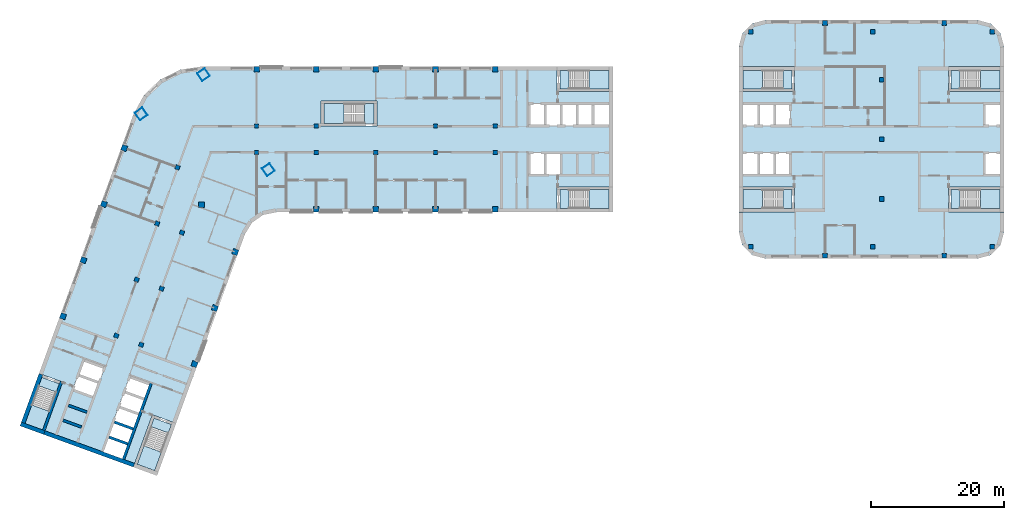
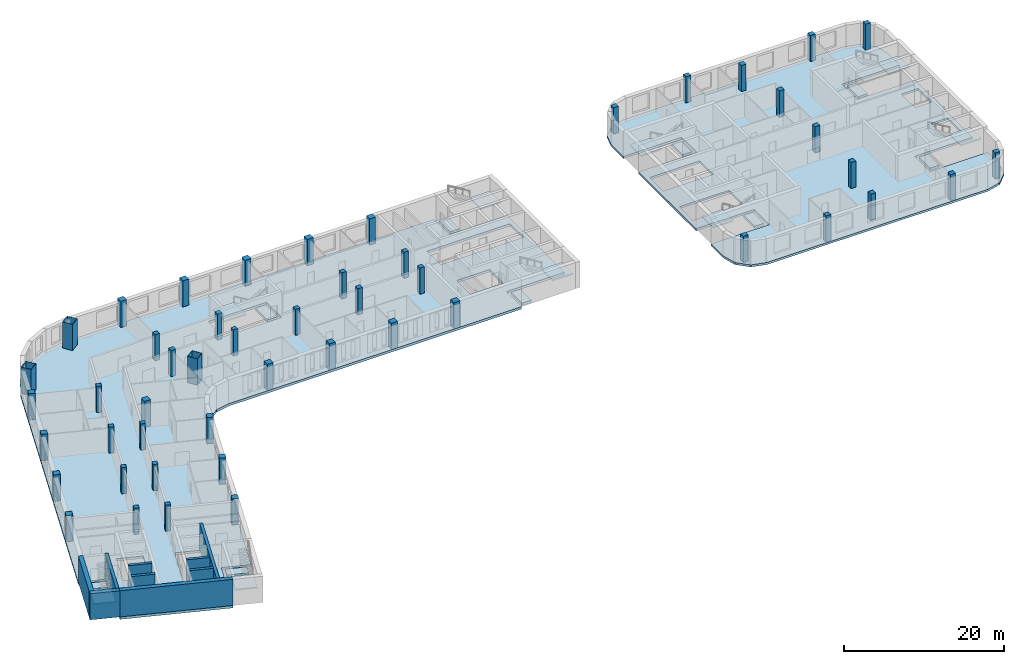
# One storey, part 1 of 12: 49 columns, 20 slabs, 9 walls, 9 elements without a shape of their own.
"""IFC4 building model written with IfcOpenShell, lengths in metres."""

import ifcopenshell
import ifcopenshell.guid

model = None  # the IFC model being written
_history = None  # IfcOwnerHistory: only IFC2X3 demands one
_inside = {}  # id of a spatial element -> (the spatial element, [elements in it])
_under = {}  # id of a project, library or spatial element -> (it, [spatial elements below it])
_declared = {}  # id of a project -> (the project, [libraries it declares])
_typed = {}  # id of a type object -> (the type object, [elements of that type])
_made_of = {}  # id of a material, layer set ... -> (it, [elements and type objects made of it])


def new_model(schema):
    """Start an empty IFC model of exactly this schema.

    Asked for "IFC4X3", IfcOpenShell would pick the latest addendum, in which some entities
    have other attributes; the version numbers below select the first issue.
    IFC2X3 requires an IfcOwnerHistory on every rooted entity: one is made here for all.
    """
    global model, _history
    if schema == "IFC4X3":
        model = ifcopenshell.file(schema_version=(4, 3, 0, 0))
    else:
        model = ifcopenshell.file(schema=schema)
    _inside.clear()
    _under.clear()
    _declared.clear()
    _typed.clear()
    _made_of.clear()
    _history = None
    if model.schema == "IFC2X3":
        org = make("IfcOrganization", Name="unknown")
        user = make(
            "IfcPersonAndOrganization",
            ThePerson=make("IfcPerson", FamilyName="unknown"),
            TheOrganization=org,
        )
        app = make(
            "IfcApplication",
            ApplicationDeveloper=org,
            Version="unknown",
            ApplicationFullName="unknown",
            ApplicationIdentifier="unknown",
        )
        _history = make(
            "IfcOwnerHistory",
            OwningUser=user,
            OwningApplication=app,
            ChangeAction="ADDED",
            CreationDate=0,
        )
    return model


def make(cls, **values):
    """One entity of the class cls with the attributes given. An attribute that is None is left unset."""
    return model.create_entity(
        cls, **{name: value for name, value in values.items() if value is not None}
    )


def rooted(cls, **values):
    """An entity with a GlobalId (a new one), such as an element, a storey or a relation."""
    return make(cls, GlobalId=ifcopenshell.guid.new(), OwnerHistory=_history, **values)


def si_unit(unit_type, name, prefix=None):
    """IfcSIUnit, for example si_unit("LENGTHUNIT", "METRE", prefix="MILLI")."""
    return make("IfcSIUnit", UnitType=unit_type, Prefix=prefix, Name=name)


def assignment(units):
    """IfcUnitAssignment: the units of a project."""
    return None if units is None else make("IfcUnitAssignment", Units=units)


def point(xyz):
    """IfcCartesianPoint."""
    return None if xyz is None else make("IfcCartesianPoint", Coordinates=xyz)


def direction(xyz):
    """IfcDirection."""
    return None if xyz is None else make("IfcDirection", DirectionRatios=xyz)


def frame(location, z_axis=None, x_axis=None):
    """IfcAxis2Placement3D, a coordinate frame: its origin and axes. An axis left out is left unset."""
    return make(
        "IfcAxis2Placement3D",
        Location=point(location),
        Axis=direction(z_axis),
        RefDirection=direction(x_axis),
    )


def frame_2d(location, x_axis=None):
    """IfcAxis2Placement2D, a coordinate frame in the plane: its origin and x axis."""
    return make(
        "IfcAxis2Placement2D", Location=point(location), RefDirection=direction(x_axis)
    )


def origin():
    """The frame at (0, 0, 0) with its axes left unset."""
    return frame((0.0, 0.0, 0.0))


def origin_2d():
    """The frame at (0, 0) in the plane with its x axis left unset."""
    return frame_2d((0.0, 0.0))


def place(relative_to, where):
    """IfcLocalPlacement: puts the frame where relative to a parent placement (None: the world)."""
    return make(
        "IfcLocalPlacement", PlacementRelTo=relative_to, RelativePlacement=where
    )


def context(
    kind, dimensions, precision=None, world=None, true_north=None, identifier=None
):
    """IfcGeometricRepresentationContext, for example the 3D "Model" context."""
    return make(
        "IfcGeometricRepresentationContext",
        ContextIdentifier=identifier,
        ContextType=kind,
        CoordinateSpaceDimension=dimensions,
        Precision=precision,
        WorldCoordinateSystem=world,
        TrueNorth=true_north,
    )


def subcontext(parent, identifier, kind, view, scale=None):
    """IfcGeometricRepresentationSubContext, for example "Body" below "Model"."""
    return make(
        "IfcGeometricRepresentationSubContext",
        ContextIdentifier=identifier,
        ContextType=kind,
        ParentContext=parent,
        TargetScale=scale,
        TargetView=view,
    )


def project(units=None, contexts=None):
    """IfcProject with its units and contexts."""
    return rooted(
        "IfcProject",
        Name="project",
        RepresentationContexts=contexts,
        UnitsInContext=assignment(units),
    )


def spatial(cls, under=None, at=None, **own):
    """A site, building, storey or space (cls), placed at a placement, below another one or the project."""
    s = rooted(cls, ObjectPlacement=at, **own)
    if under is not None:
        _under.setdefault(under.id(), (under, []))[1].append(s)
    return s


def polyline(points):
    """IfcPolyline through the points."""
    return make("IfcPolyline", Points=[point(p) for p in points])


def profile(cls, at=None, kind="AREA", **sizes):
    """A parametric profile (cls). Its sizes go by their IFC names, for example OverallWidth=200.0."""
    return make(cls, ProfileType=kind, Position=at, **sizes)


def rectangle(**sizes):
    """IfcRectangleProfileDef."""
    return profile("IfcRectangleProfileDef", **sizes)


def hollow_rectangle(**sizes):
    """IfcRectangleHollowProfileDef."""
    return profile("IfcRectangleHollowProfileDef", **sizes)


def outline(outer, holes=None, kind="AREA"):
    """IfcArbitraryClosedProfileDef: a profile drawn as a closed curve; with holes, ...WithVoids."""
    if holes is None:
        return make("IfcArbitraryClosedProfileDef", ProfileType=kind, OuterCurve=outer)
    return make(
        "IfcArbitraryProfileDefWithVoids",
        ProfileType=kind,
        OuterCurve=outer,
        InnerCurves=holes,
    )


def extrude(swept, where, along, depth):
    """IfcExtrudedAreaSolid: the profile swept, set in the frame where, extruded along a direction by depth."""
    return make(
        "IfcExtrudedAreaSolid",
        SweptArea=swept,
        Position=where,
        ExtrudedDirection=direction(along),
        Depth=depth,
    )


def shape(context_of_items, identifier, shape_type, items):
    """IfcShapeRepresentation: the items that make up one representation, for example the "Body"."""
    return make(
        "IfcShapeRepresentation",
        ContextOfItems=context_of_items,
        RepresentationIdentifier=identifier,
        RepresentationType=shape_type,
        Items=items,
    )


def material(Name=None, Category=None):
    """IfcMaterial."""
    return make("IfcMaterial", Name=Name, Category=Category)


def layer(
    of_material, thickness, ventilated=None, Name=None, Category=None, Priority=None
):
    """IfcMaterialLayer: one layer of a wall or slab, of a material (None: an air gap)."""
    return make(
        "IfcMaterialLayer",
        Material=of_material,
        LayerThickness=thickness,
        IsVentilated=ventilated,
        Name=Name,
        Category=Category,
        Priority=Priority,
    )


def layer_set(layers, Name=None):
    """IfcMaterialLayerSet."""
    return make("IfcMaterialLayerSet", MaterialLayers=layers, LayerSetName=Name)


def material_profile(
    of_material, cross_section, Name=None, Category=None, Priority=None
):
    """IfcMaterialProfile: a cross section and its material."""
    return make(
        "IfcMaterialProfile",
        Name=Name,
        Material=of_material,
        Profile=cross_section,
        Priority=Priority,
        Category=Category,
    )


def profile_set(profiles, Name=None, composite=None):
    """IfcMaterialProfileSet."""
    return make(
        "IfcMaterialProfileSet",
        Name=Name,
        MaterialProfiles=profiles,
        CompositeProfile=composite,
    )


def made_of(thing, what):
    """Note that an element or type object is made of a material, layer set ...; save() writes the relation."""
    if what is not None:
        _made_of.setdefault(what.id(), (what, []))[1].append(thing)
    return thing


def type_object(cls, material=None, **own):
    """A type object (cls), such as IfcWallType, which elements share."""
    return made_of(rooted(cls, **own), material)


def element(
    cls,
    number,
    at=None,
    inside=None,
    cuts=None,
    type_object=None,
    material=None,
    context=None,
    identifier="Body",
    shape_type=None,
    held_by="IfcProductDefinitionShape",
    body=None,
    shapes=None,
    **own,
):
    """One element of the class cls, such as IfcWall. Its Tag is "e" and its number.

    at: its placement. inside: the storey or other place that contains it. cuts: it is an
    opening in that element (IfcRelVoidsElement). A single representation is given by context,
    identifier, shape_type and body (its items); several are given by shapes. held_by: the class
    of the entity that holds the representations. save() writes the other relations.
    """
    e = rooted(cls, Tag="e%d" % number, ObjectPlacement=at, **own)
    if body is not None:
        shapes = [shape(context, identifier, shape_type, body)]
    if shapes is not None:
        e.Representation = make(held_by, Representations=shapes)
    if inside is not None:
        _inside.setdefault(inside.id(), (inside, []))[1].append(e)
    if cuts is not None:
        rooted(
            "IfcRelVoidsElement", RelatingBuildingElement=cuts, RelatedOpeningElement=e
        )
    if type_object is not None:
        _typed.setdefault(type_object.id(), (type_object, []))[1].append(e)
    return made_of(e, material)


def aggregate(whole, parts):
    """IfcRelAggregates: a whole, such as a stair, and the parts it consists of."""
    return rooted("IfcRelAggregates", RelatingObject=whole, RelatedObjects=parts)


def save(model, path):
    """Write the relations noted so far, then the file.

    IfcRelAggregates (storeys below a building ...), IfcRelContainedInSpatialStructure (elements
    in a storey), IfcRelDefinesByType, IfcRelAssociatesMaterial and IfcRelDeclares: one each for
    every whole, place, type object, material and project.
    """
    for whole, parts in _under.values():
        aggregate(whole, parts)
    for where, things in _inside.values():
        rooted(
            "IfcRelContainedInSpatialStructure",
            RelatedElements=things,
            RelatingStructure=where,
        )
    for kind, things in _typed.values():
        rooted("IfcRelDefinesByType", RelatedObjects=things, RelatingType=kind)
    for what, things in _made_of.values():
        rooted("IfcRelAssociatesMaterial", RelatedObjects=things, RelatingMaterial=what)
    for by, libraries in _declared.values():
        rooted("IfcRelDeclares", RelatingContext=by, RelatedDefinitions=libraries)
    model.write(path)


model = new_model("IFC4")

# Units and contexts
model_context = context("Model", 3, precision=1e-05, world=origin(), true_north=direction((0.0, 1.0)))
body_context = subcontext(model_context, "Body", "Model", "MODEL_VIEW")
ifc_project = project(units=[si_unit("LENGTHUNIT", "METRE"), si_unit("AREAUNIT", "SQUARE_METRE"), si_unit("VOLUMEUNIT", "CUBIC_METRE"), si_unit("PLANEANGLEUNIT", "RADIAN"), si_unit("MASSUNIT", "GRAM", prefix="KILO")], contexts=[model_context])

# Site, building, storey
site_placement = place(None, origin())
site = spatial("IfcSite", under=ifc_project, at=site_placement, CompositionType="ELEMENT")
building_placement = place(site_placement, origin())
building = spatial("IfcBuilding", under=site, at=building_placement, Name="Skarvind Civic Tower", CompositionType="ELEMENT")
storey_placement = place(building_placement, frame((0.0, 0.0, 85.0)))
storey = spatial("IfcBuildingStorey", under=building, at=storey_placement, Name="L19", CompositionType="ELEMENT", Elevation=85.0)

# Columns
ifc_material_1 = material(Name="Concrete C60", Category="concrete")
ifc_material_profile_1 = material_profile(ifc_material_1, rectangle(XDim=0.64990234375, YDim=0.64990234375, at=origin_2d()), Name="RC-650x650")
ifc_profile_set_1 = profile_set([ifc_material_profile_1], Name="Concrete C60")
column_type_1 = type_object("IfcColumnType", Name="Column RC-650x650 C60", PredefinedType="COLUMN", material=ifc_profile_set_1)
for number, where, z_axis, x_axis, name in (
    (1, (54.25, 130.0, 0.0), (0.0, 0.0, 1.0), (1.0, 0.0, 0.0), "Column wing 1 north inner 02 L19"),
    (2, (63.25, 130.0, 0.0), (0.0, 0.0, 1.0), (1.0, 0.0, 0.0), "Column wing 1 north inner 03 L19"),
    (3, (81.25, 130.0, 0.0), (0.0, 0.0, 1.0), (1.0, 0.0, 0.0), "Column wing 1 north inner 05 L19"),
    (4, (90.25, 130.0, 0.0), (0.0, 0.0, 1.0), (1.0, 0.0, 0.0), "Column wing 1 north inner 06 L19"),
    (5, (54.25, 126.0, 0.0), (0.0, 0.0, 1.0), (1.0, 0.0, 0.0), "Column wing 1 south inner 02 L19"),
    (6, (63.25, 126.0, 0.0), (0.0, 0.0, 1.0), (1.0, 0.0, 0.0), "Column wing 1 south inner 03 L19"),
    (7, (72.25, 126.0, 0.0), (0.0, 0.0, 1.0), (1.0, 0.0, 0.0), "Column wing 1 south inner 04 L19"),
    (8, (81.25, 126.0, 0.0), (0.0, 0.0, 1.0), (1.0, 0.0, 0.0), "Column wing 1 south inner 05 L19"),
    (9, (90.25, 126.0, 0.0), (0.0, 0.0, 1.0), (1.0, 0.0, 0.0), "Column wing 1 south inner 06 L19"),
    (10, (43.005615234375, 113.92529296875, 0.0), (0.0, 0.0, 1.0), (-0.342020143326, -0.939692620786, 0.0), "Column wing 2 left inner 02 L19"),
    (11, (39.927490234375, 105.468017578125, 0.0), (0.0, 0.0, 1.0), (-0.342020143326, -0.939692620786, 0.0), "Column wing 2 left inner 03 L19"),
    (12, (36.84912109375, 97.010986328125, 0.0), (0.0, 0.0, 1.0), (-0.342020143326, -0.939692620786, 0.0), "Column wing 2 left inner 04 L19"),
    (13, (42.324951171875, 123.750732421875, 0.0), (0.0, 0.0, 1.0), (-0.342020143326, -0.939692620786, 0.0), "Column wing 2 right inner 01 L19"),
    (14, (39.246826171875, 115.29345703125, 0.0), (0.0, 0.0, 1.0), (-0.342020143326, -0.939692620786, 0.0), "Column wing 2 right inner 02 L19"),
    (15, (36.168701171875, 106.836181640625, 0.0), (0.0, 0.0, 1.0), (-0.342020143326, -0.939692620786, 0.0), "Column wing 2 right inner 03 L19"),
    (16, (33.090576171875, 98.37890625, 0.0), (0.0, 0.0, 1.0), (-0.342020143326, -0.939692620786, 0.0), "Column wing 2 right inner 04 L19"),
):
    element("IfcColumn", number, at=place(storey_placement, frame(where, z_axis=z_axis, x_axis=x_axis)), inside=storey, type_object=column_type_1, Name=name, PredefinedType="COLUMN", context=body_context, shape_type="SweptSolid", body=[
        extrude(rectangle(XDim=0.64990234375, YDim=0.64990234375, at=origin_2d()), origin(), (0.0, 0.0, 1.0), 4.0),
    ])
ifc_material_profile_2 = material_profile(ifc_material_1, rectangle(XDim=0.699951171875, YDim=0.699951171875, at=origin_2d()), Name="RC-700x700")
ifc_profile_set_2 = profile_set([ifc_material_profile_2], Name="Concrete C60")
column_type_2 = type_object("IfcColumnType", Name="Column RC-700x700 C60", PredefinedType="COLUMN", material=ifc_profile_set_2)
for number, where, z_axis, x_axis, name in (
    (17, (128.777099609375, 144.222900390625, 0.0), (0.0, 0.0, 1.0), (1.0, 0.0, 0.0), "Column second tower north-west corner L19"),
    (18, (128.777099609375, 111.777099609375, 0.0), (0.0, 0.0, 1.0), (1.0, 0.0, 0.0), "Column second tower south-west corner L19"),
    (19, (148.550048828125, 119.0, 0.0), (0.0, 0.0, 1.0), (1.0, 0.0, 0.0), "Column second tower middle line 01 L19"),
    (20, (148.550048828125, 128.0, 0.0), (0.0, 0.0, 1.0), (1.0, 0.0, 0.0), "Column second tower middle line 02 L19"),
    (21, (148.550048828125, 137.0, 0.0), (0.0, 0.0, 1.0), (1.0, 0.0, 0.0), "Column second tower middle line 03 L19"),
    (22, (140.0, 145.550048828125, 0.0), (0.0, 0.0, 1.0), (1.0, 0.0, 0.0), "Column second tower north perimeter 02 L19"),
    (23, (147.222900390625, 144.222900390625, 0.0), (0.0, 0.0, 1.0), (1.0, 0.0, 0.0), "Column second tower north perimeter 03 L19"),
    (24, (140.0, 110.449951171875, 0.0), (0.0, 0.0, 1.0), (1.0, 0.0, 0.0), "Column second tower south perimeter 02 L19"),
    (25, (147.222900390625, 111.777099609375, 0.0), (0.0, 0.0, 1.0), (1.0, 0.0, 0.0), "Column second tower south perimeter 03 L19"),
    (26, (165.222900390625, 144.222900390625, 0.0), (0.0, 0.0, 1.0), (1.0, 0.0, 0.0), "Column second tower north-east corner L19"),
    (27, (165.222900390625, 111.777099609375, 0.0), (0.0, 0.0, 1.0), (1.0, 0.0, 0.0), "Column second tower south-east corner L19"),
    (28, (158.0, 145.550048828125, 0.0), (0.0, 0.0, 1.0), (1.0, 0.0, 0.0), "Column second tower north perimeter 04 L19"),
    (29, (158.0, 110.449951171875, 0.0), (0.0, 0.0, 1.0), (1.0, 0.0, 0.0), "Column second tower south perimeter 04 L19"),
):
    element("IfcColumn", number, at=place(storey_placement, frame(where, z_axis=z_axis, x_axis=x_axis)), inside=storey, type_object=column_type_2, Name=name, PredefinedType="COLUMN", context=body_context, shape_type="SweptSolid", body=[
        extrude(rectangle(XDim=0.699951171875, YDim=0.699951171875, at=origin_2d()), origin(), (0.0, 0.0, 1.0), 4.0),
    ])
ifc_material_2 = material(Name="Concrete C80", Category="concrete")
ifc_material_profile_3 = material_profile(ifc_material_2, rectangle(XDim=0.85009765625, YDim=0.85009765625, at=origin_2d()), Name="RC-850x850")
ifc_profile_set_3 = profile_set([ifc_material_profile_3], Name="Concrete C80")
column_type_3 = type_object("IfcColumnType", Name="Column RC-850x850 C80", PredefinedType="COLUMN", material=ifc_profile_set_3)
for number, where, z_axis, x_axis, name in (
    (30, (54.25, 138.550048828125, 0.0), (0.0, 0.0, 1.0), (1.0, 0.0, 0.0), "Column wing 1 north perimeter 02 L19"),
    (31, (63.25, 138.550048828125, 0.0), (0.0, 0.0, 1.0), (1.0, 0.0, 0.0), "Column wing 1 north perimeter 03 L19"),
    (32, (72.25, 138.550048828125, 0.0), (0.0, 0.0, 1.0), (1.0, 0.0, 0.0), "Column wing 1 north perimeter 04 L19"),
    (33, (81.25, 138.550048828125, 0.0), (0.0, 0.0, 1.0), (1.0, 0.0, 0.0), "Column wing 1 north perimeter 05 L19"),
    (34, (90.25, 138.550048828125, 0.0), (0.0, 0.0, 1.0), (1.0, 0.0, 0.0), "Column wing 1 north perimeter 06 L19"),
    (35, (45.95166015625, 118.151611328125, 0.0), (0.0, 0.0, 1.0), (1.0, 0.0, 0.0), "Column wing 1 south perimeter 01 L19"),
    (36, (63.25, 117.449951171875, 0.0), (0.0, 0.0, 1.0), (1.0, 0.0, 0.0), "Column wing 1 south perimeter 03 L19"),
    (37, (72.25, 117.449951171875, 0.0), (0.0, 0.0, 1.0), (1.0, 0.0, 0.0), "Column wing 1 south perimeter 04 L19"),
    (38, (81.25, 117.449951171875, 0.0), (0.0, 0.0, 1.0), (1.0, 0.0, 0.0), "Column wing 1 south perimeter 05 L19"),
    (39, (90.25, 117.449951171875, 0.0), (0.0, 0.0, 1.0), (1.0, 0.0, 0.0), "Column wing 1 south perimeter 06 L19"),
    (40, (51.0400390625, 111.0009765625, 0.0), (0.0, 0.0, 1.0), (-0.342020143326, -0.939692620786, 0.0), "Column wing 2 left perimeter 02 L19"),
    (41, (47.961669921875, 102.5439453125, 0.0), (0.0, 0.0, 1.0), (-0.342020143326, -0.939692620786, 0.0), "Column wing 2 left perimeter 03 L19"),
    (42, (44.883544921875, 94.086669921875, 0.0), (0.0, 0.0, 1.0), (-0.342020143326, -0.939692620786, 0.0), "Column wing 2 left perimeter 04 L19"),
    (43, (34.29052734375, 126.6748046875, 0.0), (0.0, 0.0, 1.0), (-0.342020143326, -0.939692620786, 0.0), "Column wing 2 right perimeter 01 L19"),
    (44, (31.21240234375, 118.2177734375, 0.0), (0.0, 0.0, 1.0), (-0.342020143326, -0.939692620786, 0.0), "Column wing 2 right perimeter 02 L19"),
    (45, (28.13427734375, 109.760498046875, 0.0), (0.0, 0.0, 1.0), (-0.342020143326, -0.939692620786, 0.0), "Column wing 2 right perimeter 03 L19"),
    (46, (25.05615234375, 101.30322265625, 0.0), (0.0, 0.0, 1.0), (-0.342020143326, -0.939692620786, 0.0), "Column wing 2 right perimeter 04 L19"),
):
    element("IfcColumn", number, at=place(storey_placement, frame(where, z_axis=z_axis, x_axis=x_axis)), inside=storey, type_object=column_type_3, Name=name, PredefinedType="COLUMN", context=body_context, shape_type="SweptSolid", body=[
        extrude(rectangle(XDim=0.85009765625, YDim=0.85009765625, at=origin_2d()), origin(), (0.0, 0.0, 1.0), 4.0),
    ])
ifc_material_3 = material(Name="Composite concrete-filled steel tube, Steel SM355 with Concrete C80", Category="concrete")
ifc_material_profile_4 = material_profile(ifc_material_3, hollow_rectangle(XDim=1.39990234375, YDim=1.39990234375, WallThickness=0.0400390625, at=origin_2d()), Name="BOX-1400x1400x40")
ifc_profile_set_4 = profile_set([ifc_material_profile_4], Name="Composite concrete-filled steel tube, Steel SM355 with Concrete C80")
column_type_4 = type_object("IfcColumnType", Name="Mega column BOX-1400x1400x40 filled C80", PredefinedType="COLUMN", material=ifc_profile_set_4)
for number, where, z_axis, x_axis, name in (
    (47, (36.845947265625, 131.837646484375, 0.0), (0.0, 0.0, 1.0), (0.573576436351, -0.819152044289, 0.0), "Mega column 1 L19"),
    (48, (46.2470703125, 137.762451171875, 0.0), (0.0, 0.0, 1.0), (0.573576436351, -0.819152044289, 0.0), "Mega column 2 L19"),
    (49, (56.0361328125, 123.43017578125, 0.0), (0.0, 0.0, 1.0), (0.573576436351, -0.819152044289, 0.0), "Mega column 4 L19"),
):
    element("IfcColumn", number, at=place(storey_placement, frame(where, z_axis=z_axis, x_axis=x_axis)), inside=storey, type_object=column_type_4, Name=name, PredefinedType="COLUMN", context=body_context, shape_type="SweptSolid", body=[
        extrude(hollow_rectangle(XDim=1.39990234375, YDim=1.39990234375, WallThickness=0.0400390625, at=origin_2d()), origin(), (0.0, 0.0, 1.0), 4.0),
    ])

# Slabs
ifc_material_4 = material(Name="Concrete C50", Category="concrete")
ifc_layer_1 = layer(ifc_material_4, 0.375)
ifc_layer_set_1 = layer_set([ifc_layer_1], Name="Floor slab 375 C50")
slab_type_1 = type_object("IfcSlabType", Name="Floor slab 375 C50", PredefinedType="FLOOR", material=ifc_layer_set_1)
slab_1_placement = place(storey_placement, frame((0.0, 0.0, -0.375)))
element("IfcSlab", 50, at=slab_1_placement, inside=storey, type_object=slab_type_1, Name="Floor slab L19 1", PredefinedType="FLOOR", context=body_context, shape_type="SweptSolid", body=[
    extrude(outline(polyline([(99.60009765625, 117.0), (99.60009765625, 120.800048828125), (108.0, 120.800048828125), (108.0, 135.199951171875), (99.60009765625, 135.199951171875), (99.60009765625, 139.0), (46.095458984375, 139.0), (42.739501953125, 138.5009765625), (39.6943359375, 137.005615234375), (37.24755859375, 134.6552734375), (35.630615234375, 131.672607421875), (19.41748046875, 87.126708984375), (21.435302734375, 92.6708984375), (25.006103515625, 91.371337890625), (22.13330078125, 83.477783203125), (36.886474609375, 78.108154296875), (35.664794921875, 78.552734375), (38.53759765625, 86.4462890625), (42.108642578125, 85.146484375), (40.0908203125, 79.602294921875), (40.0908203125, 79.602294921875), (52.493896484375, 113.68017578125), (53.560791015625, 115.421630859375), (55.23388671875, 116.593017578125), (57.235107421875, 117.0), (99.60009765625, 117.0)]), holes=[polyline([(32.625244140625, 85.40576171875), (33.446044921875, 87.660888671875), (34.26708984375, 89.916259765625), (35.087890625, 92.17138671875), (38.28271484375, 91.008544921875), (37.4619140625, 88.75341796875), (36.64111328125, 86.498046875), (35.8203125, 84.242919921875), (35.8203125, 84.242919921875), (34.99951171875, 81.987548828125), (34.178466796875, 79.732421875), (30.983642578125, 80.89501953125), (31.804443359375, 83.150390625), (32.625244140625, 85.40576171875), (32.625244140625, 85.40576171875)]), polyline([(31.3291015625, 93.53955078125), (30.50830078125, 91.2841796875), (29.6875, 89.029052734375), (26.492431640625, 90.19189453125), (27.313232421875, 92.447021484375), (28.134033203125, 94.702392578125), (31.3291015625, 93.53955078125)]), polyline([(64.0, 130.0), (64.0, 133.800048828125), (72.39990234375, 133.800048828125), (72.39990234375, 130.0), (64.0, 130.0)]), polyline([(100.199951171875, 126.0), (100.199951171875, 122.60009765625), (97.800048828125, 122.60009765625), (95.39990234375, 122.60009765625), (95.39990234375, 126.0), (97.800048828125, 126.0), (100.199951171875, 126.0)]), polyline([(100.199951171875, 133.39990234375), (102.60009765625, 133.39990234375), (105.0, 133.39990234375), (107.39990234375, 133.39990234375), (107.39990234375, 130.0), (105.0, 130.0), (102.60009765625, 130.0), (100.199951171875, 130.0), (97.800048828125, 130.0), (95.39990234375, 130.0), (95.39990234375, 133.39990234375), (97.800048828125, 133.39990234375), (100.199951171875, 133.39990234375)])]), origin(), (0.0, 0.0, 1.0), 0.375),
])
ifc_layer_2 = layer(ifc_material_4, 0.324951171875)
ifc_layer_set_2 = layer_set([ifc_layer_2], Name="Second tower floor slab 325 C50")
slab_type_2 = type_object("IfcSlabType", Name="Second tower floor slab 325 C50", PredefinedType="FLOOR", material=ifc_layer_set_2)
slab_2_placement = place(storey_placement, frame((0.0, 0.0, -0.324951171875)))
element("IfcSlab", 51, at=slab_2_placement, inside=storey, type_object=slab_type_2, Name="Floor slab L19 1", PredefinedType="FLOOR", context=body_context, shape_type="SweptSolid", body=[
    extrude(outline(polyline([(127.0, 139.0), (135.39990234375, 139.0), (135.39990234375, 135.199951171875), (127.0, 135.199951171875), (127.0, 120.800048828125), (135.39990234375, 120.800048828125), (135.39990234375, 117.0), (127.0, 117.0), (127.0, 114.0), (127.535888671875, 112.0), (129.0, 110.535888671875), (131.0, 110.0), (163.0, 110.0), (165.0, 110.535888671875), (166.464111328125, 112.0), (167.0, 114.0), (167.0, 117.0), (158.60009765625, 117.0), (158.60009765625, 120.800048828125), (167.0, 120.800048828125), (167.0, 135.199951171875), (158.60009765625, 135.199951171875), (158.60009765625, 139.0), (167.0, 139.0), (167.0, 142.0), (166.464111328125, 144.0), (165.0, 145.464111328125), (163.0, 146.0), (131.0, 146.0), (129.0, 145.464111328125), (127.535888671875, 144.0), (127.0, 142.0), (127.0, 139.0)]), holes=[polyline([(132.39990234375, 126.0), (134.800048828125, 126.0), (134.800048828125, 122.60009765625), (132.39990234375, 122.60009765625), (130.0, 122.60009765625), (127.60009765625, 122.60009765625), (127.60009765625, 126.0), (130.0, 126.0), (132.39990234375, 126.0)]), polyline([(130.0, 133.39990234375), (132.39990234375, 133.39990234375), (134.800048828125, 133.39990234375), (134.800048828125, 130.0), (132.39990234375, 130.0), (130.0, 130.0), (127.60009765625, 130.0), (127.60009765625, 133.39990234375), (130.0, 133.39990234375)]), polyline([(166.39990234375, 126.0), (166.39990234375, 122.60009765625), (164.0, 122.60009765625), (164.0, 126.0), (166.39990234375, 126.0)]), polyline([(166.39990234375, 133.39990234375), (166.39990234375, 130.0), (164.0, 130.0), (164.0, 133.39990234375), (166.39990234375, 133.39990234375)])]), origin(), (0.0, 0.0, 1.0), 0.324951171875),
])
ifc_material_5 = material(Name="Concrete C40/50", Category="concrete")
ifc_layer_3 = layer(ifc_material_5, 0.375)
ifc_layer_set_3 = layer_set([ifc_layer_3], Name="Stair floor landing slab 375")
slab_type_3 = type_object("IfcSlabType", Name="Stair floor landing slab 375", PredefinedType="LANDING", material=ifc_layer_set_3)
slab_3_placement = place(storey_placement, frame((0.0, 0.0, -0.375)))
element("IfcSlab", 52, at=slab_3_placement, inside=storey, type_object=slab_type_3, Name="Stair floor landing", PredefinedType="LANDING", context=body_context, shape_type="SweptSolid", body=[
    extrude(outline(polyline([(101.3505859375, 138.400634765625), (101.3505859375, 135.599365234375), (99.99951171875, 135.599365234375), (99.99951171875, 138.400634765625), (101.3505859375, 138.400634765625)])), origin(), (0.0, 0.0, 1.0), 0.375),
])
slab_4_placement = place(storey_placement, frame((0.0, 0.0, -0.375)))
element("IfcSlab", 53, at=slab_4_placement, inside=storey, type_object=slab_type_3, Name="Stair floor landing", PredefinedType="LANDING", context=body_context, shape_type="SweptSolid", body=[
    extrude(outline(polyline([(101.3505859375, 120.400634765625), (101.3505859375, 117.599365234375), (99.99951171875, 117.599365234375), (99.99951171875, 120.400634765625), (101.3505859375, 120.400634765625)])), origin(), (0.0, 0.0, 1.0), 0.375),
])
slab_5_placement = place(storey_placement, frame((0.0, 0.0, -0.375)))
element("IfcSlab", 54, at=slab_5_placement, inside=storey, type_object=slab_type_3, Name="Stair floor landing", PredefinedType="LANDING", context=body_context, shape_type="SweptSolid", body=[
    extrude(outline(polyline([(40.946533203125, 83.70654296875), (38.314208984375, 84.66455078125), (38.7763671875, 85.934326171875), (41.40869140625, 84.976318359375), (40.946533203125, 83.70654296875)])), origin(), (0.0, 0.0, 1.0), 0.375),
])
slab_6_placement = place(storey_placement, frame((0.0, 0.0, -0.375)))
element("IfcSlab", 55, at=slab_6_placement, inside=storey, type_object=slab_type_3, Name="Stair floor landing", PredefinedType="LANDING", context=body_context, shape_type="SweptSolid", body=[
    extrude(outline(polyline([(24.0322265625, 89.863037109375), (21.39990234375, 90.821044921875), (21.862060546875, 92.090576171875), (24.494384765625, 91.132568359375), (24.0322265625, 89.863037109375)])), origin(), (0.0, 0.0, 1.0), 0.375),
])
slab_7_placement = place(storey_placement, frame((0.0, 0.0, -0.375)))
element("IfcSlab", 56, at=slab_7_placement, inside=storey, type_object=slab_type_3, Name="Stair floor landing", PredefinedType="LANDING", context=body_context, shape_type="SweptSolid", body=[
    extrude(outline(polyline([(133.6494140625, 117.599365234375), (133.6494140625, 120.400634765625), (135.00048828125, 120.400634765625), (135.00048828125, 117.599365234375), (133.6494140625, 117.599365234375)])), origin(), (0.0, 0.0, 1.0), 0.375),
])
slab_8_placement = place(storey_placement, frame((0.0, 0.0, -0.375)))
element("IfcSlab", 57, at=slab_8_placement, inside=storey, type_object=slab_type_3, Name="Stair floor landing", PredefinedType="LANDING", context=body_context, shape_type="SweptSolid", body=[
    extrude(outline(polyline([(133.6494140625, 135.599365234375), (133.6494140625, 138.400634765625), (135.00048828125, 138.400634765625), (135.00048828125, 135.599365234375), (133.6494140625, 135.599365234375)])), origin(), (0.0, 0.0, 1.0), 0.375),
])
slab_9_placement = place(storey_placement, frame((0.0, 0.0, -0.375)))
element("IfcSlab", 58, at=slab_9_placement, inside=storey, type_object=slab_type_3, Name="Stair floor landing", PredefinedType="LANDING", context=body_context, shape_type="SweptSolid", body=[
    extrude(outline(polyline([(160.3505859375, 138.400634765625), (160.3505859375, 135.599365234375), (158.99951171875, 135.599365234375), (158.99951171875, 138.400634765625), (160.3505859375, 138.400634765625)])), origin(), (0.0, 0.0, 1.0), 0.375),
])
slab_10_placement = place(storey_placement, frame((0.0, 0.0, -0.375)))
element("IfcSlab", 59, at=slab_10_placement, inside=storey, type_object=slab_type_3, Name="Stair floor landing", PredefinedType="LANDING", context=body_context, shape_type="SweptSolid", body=[
    extrude(outline(polyline([(160.3505859375, 120.400634765625), (160.3505859375, 117.599365234375), (158.99951171875, 117.599365234375), (158.99951171875, 120.400634765625), (160.3505859375, 120.400634765625)])), origin(), (0.0, 0.0, 1.0), 0.375),
])
slab_11_placement = place(storey_placement, frame((0.0, 0.0, -0.375)))
element("IfcSlab", 60, at=slab_11_placement, inside=storey, type_object=slab_type_3, Name="Stair floor landing", PredefinedType="LANDING", context=body_context, shape_type="SweptSolid", body=[
    extrude(outline(polyline([(70.54931640625, 130.3994140625), (70.54931640625, 133.400634765625), (72.00048828125, 133.400634765625), (72.00048828125, 130.3994140625), (70.54931640625, 130.3994140625)])), origin(), (0.0, 0.0, 1.0), 0.375),
])

# Stair, slab
stair_type_1 = type_object("IfcStairType", Name="Exit stair, half-turn, concrete", PredefinedType="HALF_TURN_STAIR", material=ifc_material_5)
stair_1_placement = place(storey_placement, origin())
stair_1 = element("IfcStair", 61, at=stair_1_placement, inside=storey, type_object=stair_type_1, Name="Exit stair C1S", PredefinedType="HALF_TURN_STAIR")
ifc_layer_4 = layer(ifc_material_5, 0.199951171875)
ifc_layer_set_4 = layer_set([ifc_layer_4], Name="Stair half landing slab")
slab_type_4 = type_object("IfcSlabType", Name="Stair half landing slab", PredefinedType="LANDING", material=ifc_layer_set_4)
slab_12_placement = place(storey_placement, frame((0.0, 0.0, 1.800048828125)))
slab_12 = element("IfcSlab", 62, at=slab_12_placement, type_object=slab_type_4, Name="ST-C1S landing 1", PredefinedType="LANDING", context=body_context, shape_type="SweptSolid", body=[
    extrude(outline(polyline([(104.429443359375, 135.599365234375), (104.429443359375, 138.400634765625), (107.400634765625, 138.400634765625), (107.400634765625, 135.599365234375), (104.429443359375, 135.599365234375)])), origin(), (0.0, 0.0, 1.0), 0.199951171875),
])
aggregate(stair_1, [slab_12])

stair_2_placement = place(storey_placement, origin())
stair_2 = element("IfcStair", 63, at=stair_2_placement, inside=storey, type_object=stair_type_1, Name="Exit stair C1N", PredefinedType="HALF_TURN_STAIR")
slab_13_placement = place(storey_placement, frame((0.0, 0.0, 1.800048828125)))
slab_13 = element("IfcSlab", 64, at=slab_13_placement, type_object=slab_type_4, Name="ST-C1N landing 1", PredefinedType="LANDING", context=body_context, shape_type="SweptSolid", body=[
    extrude(outline(polyline([(104.429443359375, 117.599365234375), (104.429443359375, 120.400634765625), (107.400634765625, 120.400634765625), (107.400634765625, 117.599365234375), (104.429443359375, 117.599365234375)])), origin(), (0.0, 0.0, 1.0), 0.199951171875),
])
aggregate(stair_2, [slab_13])

stair_3_placement = place(storey_placement, origin())
stair_3 = element("IfcStair", 65, at=stair_3_placement, inside=storey, type_object=stair_type_1, Name="Exit stair C2S", PredefinedType="HALF_TURN_STAIR")
slab_14_placement = place(storey_placement, frame((0.0, 0.0, 1.800048828125)))
slab_14 = element("IfcSlab", 66, at=slab_14_placement, type_object=slab_type_4, Name="ST-C2S landing 1", PredefinedType="LANDING", context=body_context, shape_type="SweptSolid", body=[
    extrude(outline(polyline([(37.26123046875, 81.771484375), (39.8935546875, 80.8134765625), (38.87744140625, 78.021484375), (36.2451171875, 78.9794921875), (37.26123046875, 81.771484375)])), origin(), (0.0, 0.0, 1.0), 0.199951171875),
])
aggregate(stair_3, [slab_14])

stair_4_placement = place(storey_placement, origin())
stair_4 = element("IfcStair", 67, at=stair_4_placement, inside=storey, type_object=stair_type_1, Name="Exit stair C2N", PredefinedType="HALF_TURN_STAIR")
slab_15_placement = place(storey_placement, frame((0.0, 0.0, 1.800048828125)))
slab_15 = element("IfcSlab", 68, at=slab_15_placement, type_object=slab_type_4, Name="ST-C2N landing 1", PredefinedType="LANDING", context=body_context, shape_type="SweptSolid", body=[
    extrude(outline(polyline([(20.346923828125, 87.927734375), (22.97900390625, 86.9697265625), (21.962890625, 84.177734375), (19.33056640625, 85.1357421875), (20.346923828125, 87.927734375)])), origin(), (0.0, 0.0, 1.0), 0.199951171875),
])
aggregate(stair_4, [slab_15])

stair_5_placement = place(storey_placement, origin())
stair_5 = element("IfcStair", 69, at=stair_5_placement, inside=storey, type_object=stair_type_1, Name="Exit stair CAS", PredefinedType="HALF_TURN_STAIR")
slab_16_placement = place(storey_placement, frame((0.0, 0.0, 1.800048828125)))
slab_16 = element("IfcSlab", 70, at=slab_16_placement, type_object=slab_type_4, Name="ST-CAS landing 1", PredefinedType="LANDING", context=body_context, shape_type="SweptSolid", body=[
    extrude(outline(polyline([(130.570556640625, 120.400634765625), (130.570556640625, 117.599365234375), (127.599365234375, 117.599365234375), (127.599365234375, 120.400634765625), (130.570556640625, 120.400634765625)])), origin(), (0.0, 0.0, 1.0), 0.199951171875),
])
aggregate(stair_5, [slab_16])

stair_6_placement = place(storey_placement, origin())
stair_6 = element("IfcStair", 71, at=stair_6_placement, inside=storey, type_object=stair_type_1, Name="Exit stair CAN", PredefinedType="HALF_TURN_STAIR")
slab_17_placement = place(storey_placement, frame((0.0, 0.0, 1.800048828125)))
slab_17 = element("IfcSlab", 72, at=slab_17_placement, type_object=slab_type_4, Name="ST-CAN landing 1", PredefinedType="LANDING", context=body_context, shape_type="SweptSolid", body=[
    extrude(outline(polyline([(130.570556640625, 138.400634765625), (130.570556640625, 135.599365234375), (127.599365234375, 135.599365234375), (127.599365234375, 138.400634765625), (130.570556640625, 138.400634765625)])), origin(), (0.0, 0.0, 1.0), 0.199951171875),
])
aggregate(stair_6, [slab_17])

stair_7_placement = place(storey_placement, origin())
stair_7 = element("IfcStair", 73, at=stair_7_placement, inside=storey, type_object=stair_type_1, Name="Exit stair CBS", PredefinedType="HALF_TURN_STAIR")
slab_18_placement = place(storey_placement, frame((0.0, 0.0, 1.800048828125)))
slab_18 = element("IfcSlab", 74, at=slab_18_placement, type_object=slab_type_4, Name="ST-CBS landing 1", PredefinedType="LANDING", context=body_context, shape_type="SweptSolid", body=[
    extrude(outline(polyline([(163.429443359375, 135.599365234375), (163.429443359375, 138.400634765625), (166.400634765625, 138.400634765625), (166.400634765625, 135.599365234375), (163.429443359375, 135.599365234375)])), origin(), (0.0, 0.0, 1.0), 0.199951171875),
])
aggregate(stair_7, [slab_18])

stair_8_placement = place(storey_placement, origin())
stair_8 = element("IfcStair", 75, at=stair_8_placement, inside=storey, type_object=stair_type_1, Name="Exit stair CBN", PredefinedType="HALF_TURN_STAIR")
slab_19_placement = place(storey_placement, frame((0.0, 0.0, 1.800048828125)))
slab_19 = element("IfcSlab", 76, at=slab_19_placement, type_object=slab_type_4, Name="ST-CBN landing 1", PredefinedType="LANDING", context=body_context, shape_type="SweptSolid", body=[
    extrude(outline(polyline([(163.429443359375, 117.599365234375), (163.429443359375, 120.400634765625), (166.400634765625, 120.400634765625), (166.400634765625, 117.599365234375), (163.429443359375, 117.599365234375)])), origin(), (0.0, 0.0, 1.0), 0.199951171875),
])
aggregate(stair_8, [slab_19])

stair_type_2 = type_object("IfcStairType", Name="Exit stair 1450, half-turn, concrete", PredefinedType="HALF_TURN_STAIR", material=ifc_material_5)
stair_9_placement = place(storey_placement, origin())
stair_9 = element("IfcStair", 77, at=stair_9_placement, inside=storey, type_object=stair_type_2, Name="Exit stair CM", PredefinedType="HALF_TURN_STAIR")
slab_20_placement = place(storey_placement, frame((0.0, 0.0, 1.800048828125)))
slab_20 = element("IfcSlab", 78, at=slab_20_placement, type_object=slab_type_4, Name="ST-CM landing 1", PredefinedType="LANDING", context=body_context, shape_type="SweptSolid", body=[
    extrude(outline(polyline([(67.470703125, 133.400634765625), (67.470703125, 130.3994140625), (64.3994140625, 130.3994140625), (64.3994140625, 133.400634765625), (67.470703125, 133.400634765625)])), origin(), (0.0, 0.0, 1.0), 0.199951171875),
])
aggregate(stair_9, [slab_20])

# Walls
ifc_layer_5 = layer(ifc_material_2, 0.39990234375)
ifc_layer_set_5 = layer_set([ifc_layer_5], Name="Core wall 400 C80")
wall_type_1 = type_object("IfcWallType", Name="Core wall 400 C80", PredefinedType="SHEAR", material=ifc_layer_set_5)
wall_1_placement = place(storey_placement, frame((22.150390625, 84.110107421875, 0.0), z_axis=(0.0, 0.0, 1.0), x_axis=(0.342016982193, 0.939693771338, 0.0)))
element("IfcWall", 79, at=wall_1_placement, inside=storey, type_object=wall_type_1, Name="Core wall C2 north stair inner L19", PredefinedType="SHEAR", context=body_context, shape_type="SweptSolid", body=[
    extrude(rectangle(XDim=7.800048828125, YDim=0.39990234375, at=frame_2d((3.89990234375, 0.0))), origin(), (0.0, 0.0, 1.0), 4.0),
])
wall_2_placement = place(storey_placement, frame((34.178466796875, 79.732177734375, 0.0), z_axis=(0.0, 0.0, 1.0), x_axis=(0.342014590177, 0.939694641948, 0.0)))
element("IfcWall", 80, at=wall_2_placement, inside=storey, type_object=wall_type_1, Name="Core wall C2 south lift row back L19", PredefinedType="SHEAR", context=body_context, shape_type="SweptSolid", body=[
    extrude(rectangle(XDim=12.2001953125, YDim=0.39990234375, at=frame_2d((6.10009765625, 0.0))), origin(), (0.0, 0.0, 1.0), 4.0),
])
for number, where, z_axis, x_axis, name in (
    (81, (34.8115234375, 82.055908203125, 0.0), (0.0, 0.0, 1.0), (-0.939686455819, 0.342037080957, 0.0), "Core wall C2 south lift row division 1 L19"),
    (82, (35.63232421875, 84.311279296875, 0.0), (0.0, 0.0, 1.0), (-0.939712609717, 0.341965219194, 0.0), "Core wall C2 south lift row division 2 L19"),
    (83, (27.857666015625, 84.5869140625, 0.0), (0.0, 0.0, 1.0), (-0.939686455819, 0.342037080957, 0.0), "Core wall C2 north lift row division 1 L19"),
):
    element("IfcWall", number, at=place(storey_placement, frame(where, z_axis=z_axis, x_axis=x_axis)), inside=storey, type_object=wall_type_1, Name=name, PredefinedType="SHEAR", context=body_context, shape_type="SweptSolid", body=[
        extrude(rectangle(XDim=3.0, YDim=0.39990234375, at=frame_2d((1.5, 0.0))), origin(), (0.0, 0.0, 1.0), 4.0),
    ])
wall_3_placement = place(storey_placement, frame((28.678466796875, 86.842041015625, 0.0), z_axis=(0.0, 0.0, 1.0), x_axis=(-0.939676934218, 0.342063238742, 0.0)))
element("IfcWall", 84, at=wall_3_placement, inside=storey, type_object=wall_type_1, Name="Core wall C2 north lift row division 2 L19", PredefinedType="SHEAR", context=body_context, shape_type="SweptSolid", body=[
    extrude(rectangle(XDim=2.999755859375, YDim=0.39990234375, at=frame_2d((1.5, 0.0))), origin(), (0.0, 0.0, 1.0), 4.0),
])
ifc_layer_6 = layer(ifc_material_2, 0.60009765625)
ifc_layer_set_6 = layer_set([ifc_layer_6], Name="Core wall 600 C80")
wall_type_2 = type_object("IfcWallType", Name="Core wall 600 C80", PredefinedType="SHEAR", material=ifc_layer_set_6)
wall_4_placement = place(storey_placement, frame((35.767333984375, 78.834716796875, 0.0), z_axis=(0.0, 0.0, 1.0), x_axis=(-0.939692894512, 0.342019391267, 0.0)))
element("IfcWall", 85, at=wall_4_placement, inside=storey, type_object=wall_type_2, Name="Core wall C2 tip between the stairs L19", PredefinedType="SHEAR", context=body_context, shape_type="SweptSolid", body=[
    extrude(rectangle(XDim=14.39990234375, YDim=0.60009765625, at=frame_2d((7.199951171875, 0.0))), origin(), (0.0, 0.0, 1.0), 4.0),
])
wall_5_placement = place(storey_placement, frame((22.23583984375, 83.759765625, 0.0), z_axis=(0.0, 0.0, 1.0), x_axis=(-0.939680822529, 0.342052557032, 0.0)))
element("IfcWall", 86, at=wall_5_placement, inside=storey, type_object=wall_type_2, Name="Core wall C2 tip at the north stair L19", PredefinedType="SHEAR", context=body_context, shape_type="SweptSolid", body=[
    extrude(rectangle(XDim=3.800048828125, YDim=0.60009765625, at=frame_2d((1.89990234375, 0.0))), origin(), (0.0, 0.0, 1.0), 4.0),
])
wall_6_placement = place(storey_placement, frame((19.049560546875, 85.23876953125, 0.0), z_axis=(0.0, 0.0, 1.0), x_axis=(0.342016982193, 0.939693771338, 0.0)))
element("IfcWall", 87, at=wall_6_placement, inside=storey, type_object=wall_type_2, Name="Core wall C2 north side at the stair L19", PredefinedType="SHEAR", context=body_context, shape_type="SweptSolid", body=[
    extrude(rectangle(XDim=7.800048828125, YDim=0.60009765625, at=frame_2d((3.89990234375, 0.0))), origin(), (0.0, 0.0, 1.0), 4.0),
])

save(model, "model.ifc")
